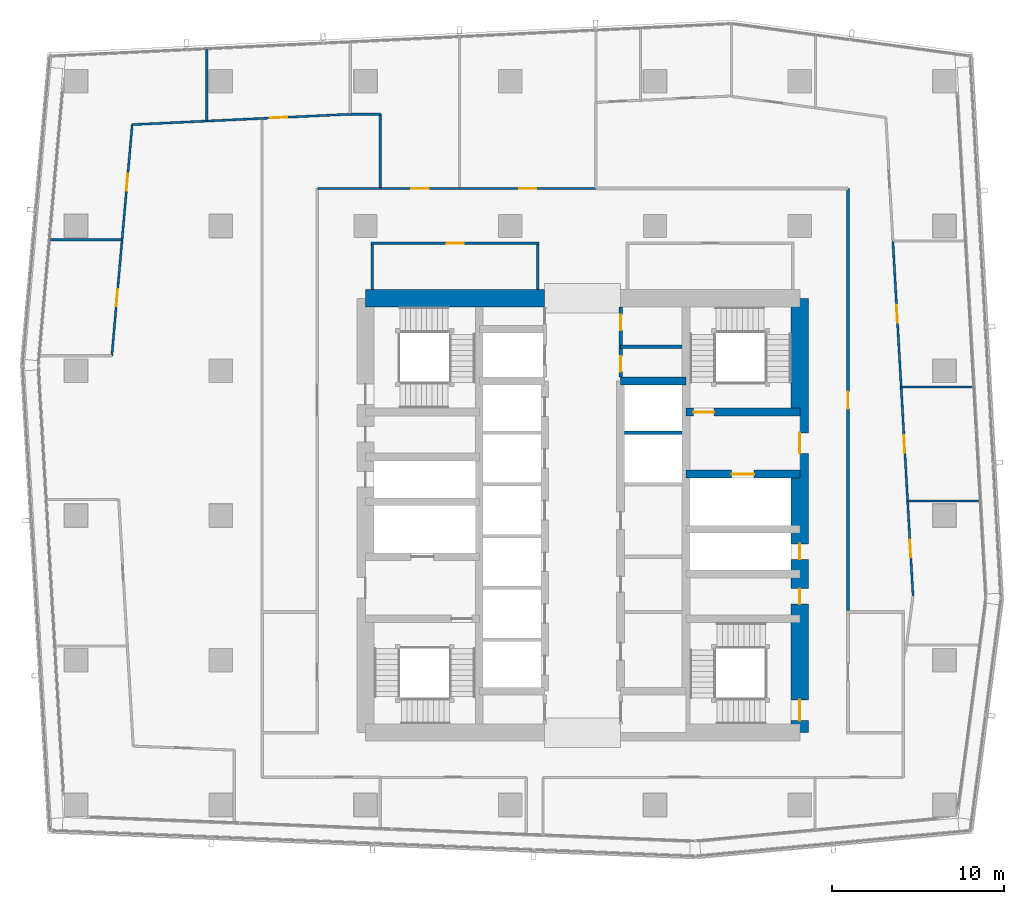
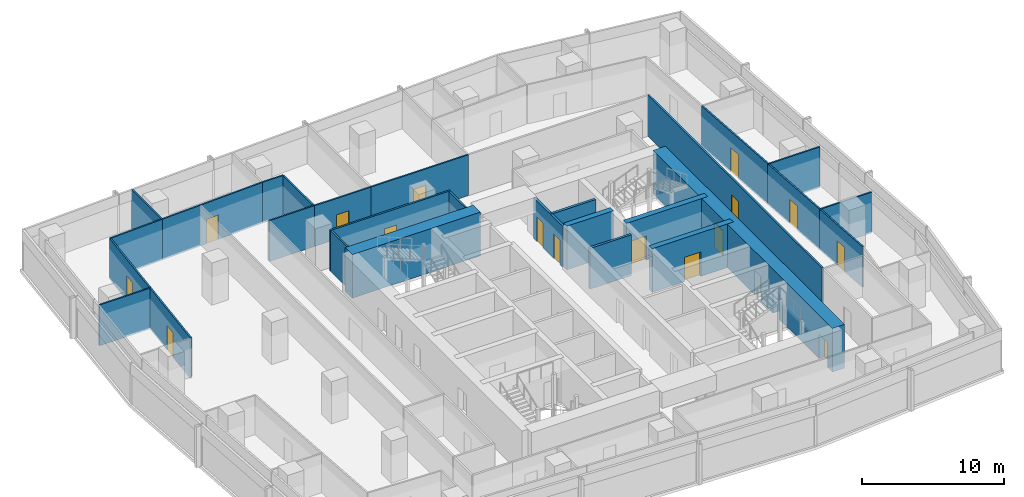
# One storey, part 29 of 38: 28 walls, 18 doors, 18 openings.
"""IFC4 building model written with IfcOpenShell, lengths in metres."""

from ifc_helpers import new_model, si_unit, direction, frame, frame_2d, origin, place, context, subcontext, project, spatial, rectangle, extrude, material, layer, layer_set, type_object, element, fill, save


model = new_model("IFC4")

# Units and contexts
model_context = context("Model", 3, precision=1e-05, world=origin(), true_north=direction((0.0, 1.0)))
body_context = subcontext(model_context, "Body", "Model", "MODEL_VIEW")
ifc_project = project(units=[si_unit("LENGTHUNIT", "METRE"), si_unit("AREAUNIT", "SQUARE_METRE"), si_unit("VOLUMEUNIT", "CUBIC_METRE"), si_unit("PLANEANGLEUNIT", "RADIAN"), si_unit("MASSUNIT", "GRAM", prefix="KILO")], contexts=[model_context])

# Site, building, storey
site_placement = place(None, origin())
site = spatial("IfcSite", under=ifc_project, at=site_placement, CompositionType="ELEMENT")
building_placement = place(site_placement, origin())
building = spatial("IfcBuilding", under=site, at=building_placement, Name="Rekha Terrace Tower", CompositionType="ELEMENT")
storey_placement = place(building_placement, frame((0.0, 0.0, 198.949951171875)))
storey = spatial("IfcBuildingStorey", under=building, at=storey_placement, Name="L50", CompositionType="ELEMENT", Elevation=198.949951171875)

# Wall
ifc_material_1 = material(Name="Concrete M60", Category="concrete")
ifc_layer_1 = layer(ifc_material_1, 0.449951171875)
ifc_layer_set_1 = layer_set([ifc_layer_1], Name="Concrete M60")
wall_type_1 = type_object("IfcWallType", Name="CI3 450 core internal shear wall", PredefinedType="SHEAR", material=ifc_layer_set_1)
wall_1_placement = place(storey_placement, frame((40.0, 41.39990234375, 0.0), z_axis=(0.0, 0.0, 1.0), x_axis=(1.0, 0.0, 0.0)))
element("IfcWall", 1, at=wall_1_placement, inside=storey, type_object=wall_type_1, Name="Core wall Y414E L50", PredefinedType="SHEAR", context=body_context, shape_type="SweptSolid", body=[
    extrude(rectangle(XDim=3.800048828125, YDim=0.449951171875, at=frame_2d((1.89990234375, 0.0))), origin(), (0.0, 0.0, 1.0), 3.75),
])

# Wall, opening, door
wall_2_placement = place(storey_placement, frame((43.800048828125, 36.0, 0.0), z_axis=(0.0, 0.0, 1.0), x_axis=(1.0, 0.0, 0.0)))
wall_2 = element("IfcWall", 2, at=wall_2_placement, inside=storey, type_object=wall_type_1, Name="Core wall Y360E L50", PredefinedType="SHEAR", context=body_context, shape_type="SweptSolid", body=[
    extrude(rectangle(XDim=6.599853515625, YDim=0.449951171875, at=frame_2d((3.2998046875, 0.0))), origin(), (0.0, 0.0, 1.0), 3.75),
])
opening_1_placement = place(wall_2_placement, frame((2.64990234375, 0.0, 0.0)))
opening_1 = element("IfcOpeningElement", 3, at=opening_1_placement, cuts=wall_2, Name="Opening LD2", PredefinedType="OPENING", context=body_context, shape_type="SweptSolid", body=[
    extrude(rectangle(XDim=1.300048828125, YDim=2.10009765625, at=frame_2d((0.64990234375, 1.050048828125))), frame((0.0, 0.23486328125, 0.0), z_axis=(0.0, -1.0, 0.0), x_axis=(1.0, 0.0, 0.0)), (0.0, 0.0, 1.0), 0.469970703125),
])
ifc_material_2 = material(Name="Stainless steel sliding landing door", Category="steel")
door_type_1 = type_object("IfcDoorType", Name="LD2 1300x2100 fire lift landing door", OperationType="SLIDING_TO_LEFT", PredefinedType="USERDEFINED", material=ifc_material_2)
door_1_placement = place(opening_1_placement, origin())
door_1 = element("IfcDoor", 4, at=door_1_placement, inside=storey, type_object=door_type_1, Name="Lift FL2 landing door L50", ObjectType="LIFT LANDING DOOR", OperationType="SLIDING_TO_LEFT", OverallHeight=2.10009765625, OverallWidth=1.300048828125, PredefinedType="USERDEFINED", context=body_context, shape_type="SweptSolid", body=[
    extrude(rectangle(XDim=1.300048828125, YDim=2.10009765625, at=frame_2d((0.64990234375, 1.050048828125))), frame((0.0, 0.02490234375, 0.0), z_axis=(0.0, -1.0, 0.0), x_axis=(1.0, 0.0, 0.0)), (0.0, 0.0, 1.0), 0.050048828125),
])
fill(opening_1, door_1)

wall_3_placement = place(storey_placement, frame((43.800048828125, 39.60009765625, 0.0), z_axis=(0.0, 0.0, 1.0), x_axis=(1.0, 0.0, 0.0)))
wall_3 = element("IfcWall", 5, at=wall_3_placement, inside=storey, type_object=wall_type_1, Name="Core wall Y396E L50", PredefinedType="SHEAR", context=body_context, shape_type="SweptSolid", body=[
    extrude(rectangle(XDim=6.599853515625, YDim=0.449951171875, at=frame_2d((3.2998046875, 0.0))), origin(), (0.0, 0.0, 1.0), 3.75),
])
opening_2_placement = place(wall_3_placement, frame((0.425048828125, 0.0, 0.0)))
opening_2 = element("IfcOpeningElement", 6, at=opening_2_placement, cuts=wall_3, Name="Opening D1", PredefinedType="OPENING", context=body_context, shape_type="SweptSolid", body=[
    extrude(rectangle(XDim=1.199951171875, YDim=2.10009765625, at=frame_2d((0.60009765625, 1.050048828125))), frame((0.0, 0.23486328125, 0.0), z_axis=(0.0, -1.0, 0.0), x_axis=(1.0, 0.0, 0.0)), (0.0, 0.0, 1.0), 0.469970703125),
])
ifc_material_3 = material(Name="Steel fire door", Category="steel")
door_type_2 = type_object("IfcDoorType", Name="D1 1200x2100 stair fire door", OperationType="SINGLE_SWING_RIGHT", PredefinedType="DOOR", material=ifc_material_3)
door_2_placement = place(opening_2_placement, origin())
door_2 = element("IfcDoor", 7, at=door_2_placement, inside=storey, type_object=door_type_2, Name="Stair ST2 door L50", OperationType="SINGLE_SWING_RIGHT", OverallHeight=2.10009765625, OverallWidth=1.199951171875, PredefinedType="DOOR", context=body_context, shape_type="SweptSolid", body=[
    extrude(rectangle(XDim=1.199951171875, YDim=2.10009765625, at=frame_2d((0.60009765625, 1.050048828125))), frame((0.0, 0.02490234375, 0.0), z_axis=(0.0, -1.0, 0.0), x_axis=(1.0, 0.0, 0.0)), (0.0, 0.0, 1.0), 0.050048828125),
])
fill(opening_2, door_2)

# Wall
ifc_layer_2 = layer(ifc_material_1, 1.0)
ifc_layer_set_2 = layer_set([ifc_layer_2], Name="Concrete M60")
wall_type_2 = type_object("IfcWallType", Name="SW3 1000 core outer shear wall", PredefinedType="SHEAR", material=ifc_layer_set_2)
wall_4_placement = place(storey_placement, frame((25.199951171875, 46.199951171875, 0.0), z_axis=(0.0, 0.0, 1.0), x_axis=(1.0, 0.0, 0.0)))
element("IfcWall", 8, at=wall_4_placement, inside=storey, type_object=wall_type_2, Name="Core wall N1 L50", PredefinedType="SHEAR", context=body_context, shape_type="SweptSolid", body=[
    extrude(rectangle(XDim=10.400146484375, YDim=1.0, at=frame_2d((5.2001953125, 0.0))), origin(), (0.0, 0.0, 1.0), 3.75),
])

# Wall, openings, doors
wall_5_placement = place(storey_placement, frame((50.39990234375, 21.0, 0.0), z_axis=(0.0, 0.0, 1.0), x_axis=(0.0, 1.0, 0.0)))
wall_5 = element("IfcWall", 9, at=wall_5_placement, inside=storey, type_object=wall_type_2, Name="Core wall E L50", PredefinedType="SHEAR", context=body_context, shape_type="SweptSolid", body=[
    extrude(rectangle(XDim=25.199951171875, YDim=1.0, at=frame_2d((12.60009765625, 0.0))), origin(), (0.0, 0.0, 1.0), 3.75),
])
opening_3_placement = place(wall_5_placement, frame((16.199951171875, 0.0, 0.0)))
opening_3 = element("IfcOpeningElement", 10, at=opening_3_placement, cuts=wall_5, Name="Opening D2", PredefinedType="OPENING", context=body_context, shape_type="SweptSolid", body=[
    extrude(rectangle(XDim=1.199951171875, YDim=2.10009765625, at=frame_2d((0.60009765625, 1.050048828125))), frame((0.0, 0.510009765625, 0.0), z_axis=(0.0, -1.0, 0.0), x_axis=(1.0, 0.0, 0.0)), (0.0, 0.0, 1.0), 1.02001953125),
])
opening_4_placement = place(wall_5_placement, frame((10.050048828125, 0.0, 0.0)))
opening_4 = element("IfcOpeningElement", 11, at=opening_4_placement, cuts=wall_5, Name="Opening D5", PredefinedType="OPENING", context=body_context, shape_type="SweptSolid", body=[
    extrude(rectangle(XDim=0.89990234375, YDim=2.10009765625, at=frame_2d((0.449951171875, 1.050048828125))), frame((0.0, 0.510009765625, 0.0), z_axis=(0.0, -1.0, 0.0), x_axis=(1.0, 0.0, 0.0)), (0.0, 0.0, 1.0), 1.02001953125),
])
opening_5_placement = place(wall_5_placement, frame((7.449951171875, 0.0, 0.0)))
opening_5 = element("IfcOpeningElement", 12, at=opening_5_placement, cuts=wall_5, Name="Opening D5", PredefinedType="OPENING", context=body_context, shape_type="SweptSolid", body=[
    extrude(rectangle(XDim=0.89990234375, YDim=2.10009765625, at=frame_2d((0.449951171875, 1.050048828125))), frame((0.0, 0.510009765625, 0.0), z_axis=(0.0, -1.0, 0.0), x_axis=(1.0, 0.0, 0.0)), (0.0, 0.0, 1.0), 1.02001953125),
])
opening_6_placement = place(wall_5_placement, frame((0.699951171875, 0.0, 0.0)))
opening_6 = element("IfcOpeningElement", 13, at=opening_6_placement, cuts=wall_5, Name="Opening D1", PredefinedType="OPENING", context=body_context, shape_type="SweptSolid", body=[
    extrude(rectangle(XDim=1.199951171875, YDim=2.10009765625, at=frame_2d((0.60009765625, 1.050048828125))), frame((0.0, 0.510009765625, 0.0), z_axis=(0.0, -1.0, 0.0), x_axis=(1.0, 0.0, 0.0)), (0.0, 0.0, 1.0), 1.02001953125),
])
door_3_placement = place(opening_6_placement, origin())
door_3 = element("IfcDoor", 14, at=door_3_placement, inside=storey, type_object=door_type_2, Name="Stair ST3 door L50", OperationType="SINGLE_SWING_RIGHT", OverallHeight=2.10009765625, OverallWidth=1.199951171875, PredefinedType="DOOR", context=body_context, shape_type="SweptSolid", body=[
    extrude(rectangle(XDim=1.199951171875, YDim=2.10009765625, at=frame_2d((0.60009765625, 1.050048828125))), frame((0.0, 0.02490234375, 0.0), z_axis=(0.0, -1.0, 0.0), x_axis=(1.0, 0.0, 0.0)), (0.0, 0.0, 1.0), 0.050048828125),
])
fill(opening_6, door_3)
door_type_3 = type_object("IfcDoorType", Name="D2 1200x2100 firefighting lobby door", OperationType="SINGLE_SWING_LEFT", PredefinedType="DOOR", material=ifc_material_3)
door_4_placement = place(opening_3_placement, origin())
door_4 = element("IfcDoor", 15, at=door_4_placement, inside=storey, type_object=door_type_3, Name="Door flb2 L50", OperationType="SINGLE_SWING_LEFT", OverallHeight=2.10009765625, OverallWidth=1.199951171875, PredefinedType="DOOR", context=body_context, shape_type="SweptSolid", body=[
    extrude(rectangle(XDim=1.199951171875, YDim=2.10009765625, at=frame_2d((0.60009765625, 1.050048828125))), frame((0.0, 0.02490234375, 0.0), z_axis=(0.0, -1.0, 0.0), x_axis=(1.0, 0.0, 0.0)), (0.0, 0.0, 1.0), 0.050048828125),
])
fill(opening_3, door_4)
door_type_4 = type_object("IfcDoorType", Name="D5 900x2100 riser access door", OperationType="SINGLE_SWING_LEFT", PredefinedType="DOOR", material=ifc_material_3)
door_5_placement = place(opening_4_placement, origin())
door_5 = element("IfcDoor", 16, at=door_5_placement, inside=storey, type_object=door_type_4, Name="Door rs2 L50", OperationType="SINGLE_SWING_LEFT", OverallHeight=2.10009765625, OverallWidth=0.89990234375, PredefinedType="DOOR", context=body_context, shape_type="SweptSolid", body=[
    extrude(rectangle(XDim=0.89990234375, YDim=2.10009765625, at=frame_2d((0.449951171875, 1.050048828125))), frame((0.0, 0.02490234375, 0.0), z_axis=(0.0, -1.0, 0.0), x_axis=(1.0, 0.0, 0.0)), (0.0, 0.0, 1.0), 0.050048828125),
])
fill(opening_4, door_5)
door_6_placement = place(opening_5_placement, origin())
door_6 = element("IfcDoor", 17, at=door_6_placement, inside=storey, type_object=door_type_4, Name="Door ele L50", OperationType="SINGLE_SWING_LEFT", OverallHeight=2.10009765625, OverallWidth=0.89990234375, PredefinedType="DOOR", context=body_context, shape_type="SweptSolid", body=[
    extrude(rectangle(XDim=0.89990234375, YDim=2.10009765625, at=frame_2d((0.449951171875, 1.050048828125))), frame((0.0, 0.02490234375, 0.0), z_axis=(0.0, -1.0, 0.0), x_axis=(1.0, 0.0, 0.0)), (0.0, 0.0, 1.0), 0.050048828125),
])
fill(opening_5, door_6)

# Wall, opening, door
ifc_material_4 = material(Name="Concrete block masonry, 1 hour", Category="masonry")
ifc_layer_3 = layer(ifc_material_4, 0.14990234375)
ifc_layer_set_3 = layer_set([ifc_layer_3], Name="Concrete block masonry, 1 hour")
wall_type_3 = type_object("IfcWallType", Name="WP2 150 tenancy partition", PredefinedType="PARTITIONING", material=ifc_layer_set_3)
wall_6_placement = place(storey_placement, frame((25.52490234375, 49.39990234375, 0.0), z_axis=(0.0, 0.0, 1.0), x_axis=(1.0, 0.0, 0.0)))
wall_6 = element("IfcWall", 18, at=wall_6_placement, inside=storey, type_object=wall_type_3, Name="Women's WC wall L50", PredefinedType="PARTITIONING", context=body_context, shape_type="SweptSolid", body=[
    extrude(rectangle(XDim=9.75, YDim=0.14990234375, at=frame_2d((4.875, 0.0))), origin(), (0.0, 0.0, 1.0), 3.5),
])
opening_7_placement = place(wall_6_placement, frame((4.375, 0.0, 0.0)))
opening_7 = element("IfcOpeningElement", 19, at=opening_7_placement, cuts=wall_6, Name="Opening D3", PredefinedType="OPENING", context=body_context, shape_type="SweptSolid", body=[
    extrude(rectangle(XDim=1.0, YDim=2.10009765625, at=frame_2d((0.5, 1.050048828125))), frame((0.0, 0.0849609375, 0.0), z_axis=(0.0, -1.0, 0.0), x_axis=(1.0, 0.0, 0.0)), (0.0, 0.0, 1.0), 0.169921875),
])
ifc_material_5 = material(Name="Laminated timber fire door", Category="wood")
door_type_5 = type_object("IfcDoorType", Name="D3 1000x2100 WC door", OperationType="SINGLE_SWING_LEFT", PredefinedType="DOOR", material=ifc_material_5)
door_7_placement = place(opening_7_placement, origin())
door_7 = element("IfcDoor", 20, at=door_7_placement, inside=storey, type_object=door_type_5, Name="Door women's wc L50", OperationType="SINGLE_SWING_LEFT", OverallHeight=2.10009765625, OverallWidth=1.0, PredefinedType="DOOR", context=body_context, shape_type="SweptSolid", body=[
    extrude(rectangle(XDim=1.0, YDim=2.10009765625, at=frame_2d((0.5, 1.050048828125))), frame((0.0, 0.02490234375, 0.0), z_axis=(0.0, -1.0, 0.0), x_axis=(1.0, 0.0, 0.0)), (0.0, 0.0, 1.0), 0.050048828125),
])
fill(opening_7, door_7)

# Walls
for number, where, z_axis, x_axis, name in (
    (21, (25.60009765625, 46.699951171875, 0.0), (0.0, 0.0, 1.0), (0.0, 1.0, 0.0), "Women's WC wall L50"),
    (22, (35.199951171875, 46.699951171875, 0.0), (0.0, 0.0, 1.0), (0.0, 1.0, 0.0), "Women's WC wall L50"),
):
    element("IfcWall", number, at=place(storey_placement, frame(where, z_axis=z_axis, x_axis=x_axis)), inside=storey, type_object=wall_type_3, Name=name, PredefinedType="PARTITIONING", context=body_context, shape_type="SweptSolid", body=[
        extrude(rectangle(XDim=2.625, YDim=0.14990234375, at=frame_2d((1.3125, 0.0))), origin(), (0.0, 0.0, 1.0), 3.5),
    ])

# Wall, opening, door
wall_7_placement = place(storey_placement, frame((53.199951171875, 28.074951171875, 0.0), z_axis=(0.0, 0.0, 1.0), x_axis=(0.0, 1.0, 0.0)))
wall_7 = element("IfcWall", 23, at=wall_7_placement, inside=storey, type_object=wall_type_3, Name="Partition L50-O1", PredefinedType="PARTITIONING", context=body_context, shape_type="SweptSolid", body=[
    extrude(rectangle(XDim=24.5, YDim=0.14990234375, at=frame_2d((12.25, 0.0))), origin(), (0.0, 0.0, 1.0), 3.5),
])
opening_8_placement = place(wall_7_placement, frame((11.712890625, 0.0, 0.0)))
opening_8 = element("IfcOpeningElement", 24, at=opening_8_placement, cuts=wall_7, Name="Opening D9", PredefinedType="OPENING", context=body_context, shape_type="SweptSolid", body=[
    extrude(rectangle(XDim=1.0, YDim=2.10009765625, at=frame_2d((0.5, 1.050048828125))), frame((0.0, 0.0849609375, 0.0), z_axis=(0.0, -1.0, 0.0), x_axis=(1.0, 0.0, 0.0)), (0.0, 0.0, 1.0), 0.169921875),
])
ifc_material_6 = material(Name="Timber fire door", Category="wood")
door_type_6 = type_object("IfcDoorType", Name="D9 1000x2100 office door", OperationType="SINGLE_SWING_LEFT", PredefinedType="DOOR", material=ifc_material_6)
door_8_placement = place(opening_8_placement, origin())
door_8 = element("IfcDoor", 25, at=door_8_placement, inside=storey, type_object=door_type_6, Name="Door open-plan office L50", OperationType="SINGLE_SWING_LEFT", OverallHeight=2.10009765625, OverallWidth=1.0, PredefinedType="DOOR", context=body_context, shape_type="SweptSolid", body=[
    extrude(rectangle(XDim=1.0, YDim=2.10009765625, at=frame_2d((0.5, 1.050048828125))), frame((0.0, 0.02490234375, 0.0), z_axis=(0.0, -1.0, 0.0), x_axis=(1.0, 0.0, 0.0)), (0.0, 0.0, 1.0), 0.050048828125),
])
fill(opening_8, door_8)

ifc_material_7 = material(Name="Two layers of fire-rated gypsum board each side on steel studs, acoustic quilt, 1 hour", Category="steel")
ifc_layer_4 = layer(ifc_material_7, 0.125)
ifc_layer_set_4 = layer_set([ifc_layer_4], Name="Two layers of fire-rated gypsum board each side on steel studs, acoustic quilt, 1 hour")
wall_type_4 = type_object("IfcWallType", Name="WP3 125 office partition", PredefinedType="PARTITIONING", material=ifc_layer_set_4)
wall_8_placement = place(storey_placement, frame((56.969970703125, 28.93798828125, 0.0), z_axis=(0.0, 0.0, 1.0), x_axis=(-0.056688504788, 0.998391913742, 0.0)))
wall_8 = element("IfcWall", 26, at=wall_8_placement, inside=storey, type_object=wall_type_4, Name="Partition L50-03", PredefinedType="PARTITIONING", context=body_context, shape_type="SweptSolid", body=[
    extrude(rectangle(XDim=5.50390625, YDim=0.125, at=frame_2d((2.751953125, 0.0))), origin(), (0.0, 0.0, 1.0), 3.5),
])
opening_9_placement = place(wall_8_placement, frame((2.251953125, 0.0, 0.0)))
opening_9 = element("IfcOpeningElement", 27, at=opening_9_placement, cuts=wall_8, Name="Opening D9", PredefinedType="OPENING", context=body_context, shape_type="SweptSolid", body=[
    extrude(rectangle(XDim=1.0, YDim=2.10009765625, at=frame_2d((0.5, 1.050048828125))), frame((0.0, 0.072509765625, 0.0), z_axis=(0.0, -1.0, 0.0), x_axis=(1.0, 0.0, 0.0)), (0.0, 0.0, 1.0), 0.14501953125),
])
door_9_placement = place(opening_9_placement, origin())
door_9 = element("IfcDoor", 28, at=door_9_placement, inside=storey, type_object=door_type_6, Name="Door office L50", OperationType="SINGLE_SWING_LEFT", OverallHeight=2.10009765625, OverallWidth=1.0, PredefinedType="DOOR", context=body_context, shape_type="SweptSolid", body=[
    extrude(rectangle(XDim=1.0, YDim=2.10009765625, at=frame_2d((0.5, 1.050048828125))), frame((0.0, 0.02490234375, 0.0), z_axis=(0.0, -1.0, 0.0), x_axis=(1.0, 0.0, 0.0)), (0.0, 0.0, 1.0), 0.050048828125),
])
fill(opening_9, door_9)

# Wall
wall_9_placement = place(storey_placement, frame((56.657958984375, 34.43310546875, 0.0), z_axis=(0.0, 0.0, 1.0), x_axis=(1.0, 0.0, 0.0)))
element("IfcWall", 29, at=wall_9_placement, inside=storey, type_object=wall_type_4, Name="Partition L50-03", PredefinedType="PARTITIONING", context=body_context, shape_type="SweptSolid", body=[
    extrude(rectangle(XDim=4.156982421875, YDim=0.125, at=frame_2d((2.07861328125, 0.0))), origin(), (0.0, 0.0, 1.0), 3.5),
])

# Wall, opening, door
wall_10_placement = place(storey_placement, frame((56.657958984375, 34.43408203125, 0.0), z_axis=(0.0, 0.0, 1.0), x_axis=(-0.056556940453, 0.998399375244, 0.0)))
wall_10 = element("IfcWall", 30, at=wall_10_placement, inside=storey, type_object=wall_type_4, Name="Partition L50-04", PredefinedType="PARTITIONING", context=body_context, shape_type="SweptSolid", body=[
    extrude(rectangle(XDim=6.63037109375, YDim=0.125, at=frame_2d((3.315185546875, 0.0))), origin(), (0.0, 0.0, 1.0), 3.5),
])
opening_10_placement = place(wall_10_placement, frame((2.81494140625, 0.0, 0.0)))
opening_10 = element("IfcOpeningElement", 31, at=opening_10_placement, cuts=wall_10, Name="Opening D9", PredefinedType="OPENING", context=body_context, shape_type="SweptSolid", body=[
    extrude(rectangle(XDim=1.0, YDim=2.10009765625, at=frame_2d((0.5, 1.050048828125))), frame((0.0, 0.072509765625, 0.0), z_axis=(0.0, -1.0, 0.0), x_axis=(1.0, 0.0, 0.0)), (0.0, 0.0, 1.0), 0.14501953125),
])
door_10_placement = place(opening_10_placement, origin())
door_10 = element("IfcDoor", 32, at=door_10_placement, inside=storey, type_object=door_type_6, Name="Door office L50", OperationType="SINGLE_SWING_LEFT", OverallHeight=2.10009765625, OverallWidth=1.0, PredefinedType="DOOR", context=body_context, shape_type="SweptSolid", body=[
    extrude(rectangle(XDim=1.0, YDim=2.10009765625, at=frame_2d((0.5, 1.050048828125))), frame((0.0, 0.02490234375, 0.0), z_axis=(0.0, -1.0, 0.0), x_axis=(1.0, 0.0, 0.0)), (0.0, 0.0, 1.0), 0.050048828125),
])
fill(opening_10, door_10)

# Wall
wall_11_placement = place(storey_placement, frame((56.282958984375, 41.053955078125, 0.0), z_axis=(0.0, 0.0, 1.0), x_axis=(1.0, 0.0, 0.0)))
element("IfcWall", 33, at=wall_11_placement, inside=storey, type_object=wall_type_4, Name="Partition L50-04", PredefinedType="PARTITIONING", context=body_context, shape_type="SweptSolid", body=[
    extrude(rectangle(XDim=4.156005859375, YDim=0.125, at=frame_2d((2.078125, 0.0))), origin(), (0.0, 0.0, 1.0), 3.5),
])

# Wall, opening, door
wall_12_placement = place(storey_placement, frame((56.282958984375, 41.054931640625, 0.0), z_axis=(0.0, 0.0, 1.0), x_axis=(-0.056725059265, 0.998389837514, 0.0)))
wall_12 = element("IfcWall", 34, at=wall_12_placement, inside=storey, type_object=wall_type_4, Name="Partition L50-05", PredefinedType="PARTITIONING", context=body_context, shape_type="SweptSolid", body=[
    extrude(rectangle(XDim=8.478759765625, YDim=0.125, at=frame_2d((4.2392578125, 0.0))), origin(), (0.0, 0.0, 1.0), 3.5),
])
opening_11_placement = place(wall_12_placement, frame((3.739013671875, 0.0, 0.0)))
opening_11 = element("IfcOpeningElement", 35, at=opening_11_placement, cuts=wall_12, Name="Opening D9", PredefinedType="OPENING", context=body_context, shape_type="SweptSolid", body=[
    extrude(rectangle(XDim=1.0, YDim=2.10009765625, at=frame_2d((0.5, 1.050048828125))), frame((0.0, 0.072509765625, 0.0), z_axis=(0.0, -1.0, 0.0), x_axis=(1.0, 0.0, 0.0)), (0.0, 0.0, 1.0), 0.14501953125),
])
door_11_placement = place(opening_11_placement, origin())
door_11 = element("IfcDoor", 36, at=door_11_placement, inside=storey, type_object=door_type_6, Name="Door office L50", OperationType="SINGLE_SWING_LEFT", OverallHeight=2.10009765625, OverallWidth=1.0, PredefinedType="DOOR", context=body_context, shape_type="SweptSolid", body=[
    extrude(rectangle(XDim=1.0, YDim=2.10009765625, at=frame_2d((0.5, 1.050048828125))), frame((0.0, 0.02490234375, 0.0), z_axis=(0.0, -1.0, 0.0), x_axis=(1.0, 0.0, 0.0)), (0.0, 0.0, 1.0), 0.050048828125),
])
fill(opening_11, door_11)

wall_13_placement = place(storey_placement, frame((30.660888671875, 52.574951171875, 0.0), z_axis=(0.0, 0.0, 1.0), x_axis=(-1.0, 0.0, 0.0)))
wall_13 = element("IfcWall", 37, at=wall_13_placement, inside=storey, type_object=wall_type_4, Name="Partition L50-10", PredefinedType="PARTITIONING", context=body_context, shape_type="SweptSolid", body=[
    extrude(rectangle(XDim=4.602783203125, YDim=0.125, at=frame_2d((2.30126953125, 0.0))), origin(), (0.0, 0.0, 1.0), 3.5),
])
opening_12_placement = place(wall_13_placement, frame((1.802001953125, 0.0, 0.0)))
opening_12 = element("IfcOpeningElement", 38, at=opening_12_placement, cuts=wall_13, Name="Opening D9", PredefinedType="OPENING", context=body_context, shape_type="SweptSolid", body=[
    extrude(rectangle(XDim=1.0, YDim=2.10009765625, at=frame_2d((0.5, 1.050048828125))), frame((0.0, 0.072509765625, 0.0), z_axis=(0.0, -1.0, 0.0), x_axis=(1.0, 0.0, 0.0)), (0.0, 0.0, 1.0), 0.14501953125),
])
door_12_placement = place(opening_12_placement, origin())
door_12 = element("IfcDoor", 39, at=door_12_placement, inside=storey, type_object=door_type_6, Name="Door office L50", OperationType="SINGLE_SWING_LEFT", OverallHeight=2.10009765625, OverallWidth=1.0, PredefinedType="DOOR", context=body_context, shape_type="SweptSolid", body=[
    extrude(rectangle(XDim=1.0, YDim=2.10009765625, at=frame_2d((0.5, 1.050048828125))), frame((0.0, 0.02490234375, 0.0), z_axis=(0.0, -1.0, 0.0), x_axis=(1.0, 0.0, 0.0)), (0.0, 0.0, 1.0), 0.050048828125),
])
fill(opening_12, door_12)

# Walls
wall_14_placement = place(storey_placement, frame((26.05810546875, 52.574951171875, 0.0), z_axis=(0.0, 0.0, 1.0), x_axis=(0.0, 1.0, 0.0)))
element("IfcWall", 40, at=wall_14_placement, inside=storey, type_object=wall_type_4, Name="Partition L50-10", PredefinedType="PARTITIONING", context=body_context, shape_type="SweptSolid", body=[
    extrude(rectangle(XDim=4.31005859375, YDim=0.125, at=frame_2d((2.155029296875, 0.0))), origin(), (0.0, 0.0, 1.0), 3.5),
])
wall_15_placement = place(storey_placement, frame((26.05810546875, 56.885009765625, 0.0), z_axis=(0.0, 0.0, 1.0), x_axis=(-1.0, 0.0, 0.0)))
element("IfcWall", 41, at=wall_15_placement, inside=storey, type_object=wall_type_4, Name="Partition L50-10", PredefinedType="PARTITIONING", context=body_context, shape_type="SweptSolid", body=[
    extrude(rectangle(XDim=1.736083984375, YDim=0.125, at=frame_2d((0.8681640625, 0.0))), origin(), (0.0, 0.0, 1.0), 3.5),
])

# Wall, opening, door
wall_16_placement = place(storey_placement, frame((24.31689453125, 56.885009765625, 0.0), z_axis=(0.0, 0.0, 1.0), x_axis=(-0.998859973319, -0.047736293327, 0.0)))
wall_16 = element("IfcWall", 42, at=wall_16_placement, inside=storey, type_object=wall_type_4, Name="Partition L50-11", PredefinedType="PARTITIONING", context=body_context, shape_type="SweptSolid", body=[
    extrude(rectangle(XDim=8.33642578125, YDim=0.125, at=frame_2d((4.168212890625, 0.0))), origin(), (0.0, 0.0, 1.0), 3.5),
])
opening_13_placement = place(wall_16_placement, frame((3.66796875, 0.0, 0.0)))
opening_13 = element("IfcOpeningElement", 43, at=opening_13_placement, cuts=wall_16, Name="Opening D9", PredefinedType="OPENING", context=body_context, shape_type="SweptSolid", body=[
    extrude(rectangle(XDim=1.0, YDim=2.10009765625, at=frame_2d((0.5, 1.050048828125))), frame((0.0, 0.072509765625, 0.0), z_axis=(0.0, -1.0, 0.0), x_axis=(1.0, 0.0, 0.0)), (0.0, 0.0, 1.0), 0.14501953125),
])
door_13_placement = place(opening_13_placement, origin())
door_13 = element("IfcDoor", 44, at=door_13_placement, inside=storey, type_object=door_type_6, Name="Door office L50", OperationType="SINGLE_SWING_LEFT", OverallHeight=2.10009765625, OverallWidth=1.0, PredefinedType="DOOR", context=body_context, shape_type="SweptSolid", body=[
    extrude(rectangle(XDim=1.0, YDim=2.10009765625, at=frame_2d((0.5, 1.050048828125))), frame((0.0, 0.02490234375, 0.0), z_axis=(0.0, -1.0, 0.0), x_axis=(1.0, 0.0, 0.0)), (0.0, 0.0, 1.0), 0.050048828125),
])
fill(opening_13, door_13)

# Walls
wall_17_placement = place(storey_placement, frame((15.989990234375, 56.487060546875, 0.0), z_axis=(0.0, 0.0, 1.0), x_axis=(0.0, 1.0, 0.0)))
element("IfcWall", 45, at=wall_17_placement, inside=storey, type_object=wall_type_4, Name="Partition L50-11", PredefinedType="PARTITIONING", context=body_context, shape_type="SweptSolid", body=[
    extrude(rectangle(XDim=4.155029296875, YDim=0.125, at=frame_2d((2.07763671875, 0.0))), origin(), (0.0, 0.0, 1.0), 3.5),
])
wall_18_placement = place(storey_placement, frame((11.072998046875, 49.60205078125, 0.0), z_axis=(0.0, 0.0, 1.0), x_axis=(-1.0, 0.0, 0.0)))
element("IfcWall", 46, at=wall_18_placement, inside=storey, type_object=wall_type_4, Name="Partition L50-12", PredefinedType="PARTITIONING", context=body_context, shape_type="SweptSolid", body=[
    extrude(rectangle(XDim=4.1669921875, YDim=0.125, at=frame_2d((2.08349609375, 0.0))), origin(), (0.0, 0.0, 1.0), 3.5),
])
wall_19_placement = place(storey_placement, frame((15.989013671875, 56.487060546875, 0.0), z_axis=(0.0, 0.0, 1.0), x_axis=(-0.998857273451, -0.047792753365, 0.0)))
element("IfcWall", 47, at=wall_19_placement, inside=storey, type_object=wall_type_4, Name="Partition L50-12", PredefinedType="PARTITIONING", context=body_context, shape_type="SweptSolid", body=[
    extrude(rectangle(XDim=4.331787109375, YDim=0.125, at=frame_2d((2.166015625, 0.0))), origin(), (0.0, 0.0, 1.0), 3.5),
])

# Wall, opening, door
wall_20_placement = place(storey_placement, frame((11.662109375, 56.280029296875, 0.0), z_axis=(0.0, 0.0, 1.0), x_axis=(-0.087875742136, -0.99613144411, 0.0)))
wall_20 = element("IfcWall", 48, at=wall_20_placement, inside=storey, type_object=wall_type_4, Name="Partition L50-12", PredefinedType="PARTITIONING", context=body_context, shape_type="SweptSolid", body=[
    extrude(rectangle(XDim=6.703857421875, YDim=0.125, at=frame_2d((3.35205078125, 0.0))), origin(), (0.0, 0.0, 1.0), 3.5),
])
opening_14_placement = place(wall_20_placement, frame((2.85205078125, 0.0, 0.0)))
opening_14 = element("IfcOpeningElement", 49, at=opening_14_placement, cuts=wall_20, Name="Opening D9", PredefinedType="OPENING", context=body_context, shape_type="SweptSolid", body=[
    extrude(rectangle(XDim=1.0, YDim=2.10009765625, at=frame_2d((0.5, 1.050048828125))), frame((0.0, 0.072509765625, 0.0), z_axis=(0.0, -1.0, 0.0), x_axis=(1.0, 0.0, 0.0)), (0.0, 0.0, 1.0), 0.14501953125),
])
door_14_placement = place(opening_14_placement, origin())
door_14 = element("IfcDoor", 50, at=door_14_placement, inside=storey, type_object=door_type_6, Name="Door director's office L50", OperationType="SINGLE_SWING_LEFT", OverallHeight=2.10009765625, OverallWidth=1.0, PredefinedType="DOOR", context=body_context, shape_type="SweptSolid", body=[
    extrude(rectangle(XDim=1.0, YDim=2.10009765625, at=frame_2d((0.5, 1.050048828125))), frame((0.0, 0.02490234375, 0.0), z_axis=(0.0, -1.0, 0.0), x_axis=(1.0, 0.0, 0.0)), (0.0, 0.0, 1.0), 0.050048828125),
])
fill(opening_14, door_14)

wall_21_placement = place(storey_placement, frame((11.072998046875, 49.60107421875, 0.0), z_axis=(0.0, 0.0, 1.0), x_axis=(-0.087919121044, -0.9961276164, 0.0)))
wall_21 = element("IfcWall", 51, at=wall_21_placement, inside=storey, type_object=wall_type_4, Name="Partition L50-13", PredefinedType="PARTITIONING", context=body_context, shape_type="SweptSolid", body=[
    extrude(rectangle(XDim=6.756103515625, YDim=0.125, at=frame_2d((3.3779296875, 0.0))), origin(), (0.0, 0.0, 1.0), 3.5),
])
opening_15_placement = place(wall_21_placement, frame((2.8779296875, 0.0, 0.0)))
opening_15 = element("IfcOpeningElement", 52, at=opening_15_placement, cuts=wall_21, Name="Opening D9", PredefinedType="OPENING", context=body_context, shape_type="SweptSolid", body=[
    extrude(rectangle(XDim=1.0, YDim=2.10009765625, at=frame_2d((0.5, 1.050048828125))), frame((0.0, 0.072509765625, 0.0), z_axis=(0.0, -1.0, 0.0), x_axis=(1.0, 0.0, 0.0)), (0.0, 0.0, 1.0), 0.14501953125),
])
door_15_placement = place(opening_15_placement, origin())
door_15 = element("IfcDoor", 53, at=door_15_placement, inside=storey, type_object=door_type_6, Name="Door wellness room L50", OperationType="SINGLE_SWING_LEFT", OverallHeight=2.10009765625, OverallWidth=1.0, PredefinedType="DOOR", context=body_context, shape_type="SweptSolid", body=[
    extrude(rectangle(XDim=1.0, YDim=2.10009765625, at=frame_2d((0.5, 1.050048828125))), frame((0.0, 0.02490234375, 0.0), z_axis=(0.0, -1.0, 0.0), x_axis=(1.0, 0.0, 0.0)), (0.0, 0.0, 1.0), 0.050048828125),
])
fill(opening_15, door_15)

# Wall
wall_22_placement = place(storey_placement, frame((26.05810546875, 52.574951171875, 0.0), z_axis=(0.0, 0.0, 1.0), x_axis=(-1.0, 0.0, 0.0)))
element("IfcWall", 54, at=wall_22_placement, inside=storey, type_object=wall_type_4, Name="Partition L50-17", PredefinedType="PARTITIONING", context=body_context, shape_type="SweptSolid", body=[
    extrude(rectangle(XDim=3.658203125, YDim=0.125, at=frame_2d((1.8291015625, 0.0))), origin(), (0.0, 0.0, 1.0), 3.5),
])

# Wall, opening, door
wall_23_placement = place(storey_placement, frame((38.570068359375, 52.574951171875, 0.0), z_axis=(0.0, 0.0, 1.0), x_axis=(-1.0, 0.0, 0.0)))
wall_23 = element("IfcWall", 55, at=wall_23_placement, inside=storey, type_object=wall_type_4, Name="Partition L50-20", PredefinedType="PARTITIONING", context=body_context, shape_type="SweptSolid", body=[
    extrude(rectangle(XDim=7.9091796875, YDim=0.125, at=frame_2d((3.95458984375, 0.0))), origin(), (0.0, 0.0, 1.0), 3.5),
])
opening_16_placement = place(wall_23_placement, frame((3.455078125, 0.0, 0.0)))
opening_16 = element("IfcOpeningElement", 56, at=opening_16_placement, cuts=wall_23, Name="Opening D9", PredefinedType="OPENING", context=body_context, shape_type="SweptSolid", body=[
    extrude(rectangle(XDim=1.0, YDim=2.10009765625, at=frame_2d((0.5, 1.050048828125))), frame((0.0, 0.072509765625, 0.0), z_axis=(0.0, -1.0, 0.0), x_axis=(1.0, 0.0, 0.0)), (0.0, 0.0, 1.0), 0.14501953125),
])
door_16_placement = place(opening_16_placement, origin())
door_16 = element("IfcDoor", 57, at=door_16_placement, inside=storey, type_object=door_type_6, Name="Door breakout lounge L50", OperationType="SINGLE_SWING_LEFT", OverallHeight=2.10009765625, OverallWidth=1.0, PredefinedType="DOOR", context=body_context, shape_type="SweptSolid", body=[
    extrude(rectangle(XDim=1.0, YDim=2.10009765625, at=frame_2d((0.5, 1.050048828125))), frame((0.0, 0.02490234375, 0.0), z_axis=(0.0, -1.0, 0.0), x_axis=(1.0, 0.0, 0.0)), (0.0, 0.0, 1.0), 0.050048828125),
])
fill(opening_16, door_16)

# Wall
ifc_material_8 = material(Name="Solid concrete block masonry, 2 hour", Category="masonry")
ifc_layer_5 = layer(ifc_material_8, 0.199951171875)
ifc_layer_set_5 = layer_set([ifc_layer_5], Name="Solid concrete block masonry, 2 hour")
wall_type_5 = type_object("IfcWallType", Name="WS1 200 stair and shaft enclosure", PredefinedType="PARTITIONING", material=ifc_layer_set_5)
wall_24_placement = place(storey_placement, frame((40.22509765625, 38.39990234375, 0.0), z_axis=(0.0, 0.0, 1.0), x_axis=(1.0, 0.0, 0.0)))
element("IfcWall", 58, at=wall_24_placement, inside=storey, type_object=wall_type_5, Name="Lift shaft divider L50", PredefinedType="PARTITIONING", context=body_context, shape_type="SweptSolid", body=[
    extrude(rectangle(XDim=3.349853515625, YDim=0.199951171875, at=frame_2d((1.6748046875, 0.0))), origin(), (0.0, 0.0, 1.0), 3.5),
])

# Wall, openings, doors
wall_25_placement = place(storey_placement, frame((40.0, 41.625, 0.0), z_axis=(0.0, 0.0, 1.0), x_axis=(0.0, 1.0, 0.0)))
wall_25 = element("IfcWall", 59, at=wall_25_placement, inside=storey, type_object=wall_type_5, Name="Core partition elec L50", PredefinedType="PARTITIONING", context=body_context, shape_type="SweptSolid", body=[
    extrude(rectangle(XDim=4.074951171875, YDim=0.199951171875, at=frame_2d((2.03759765625, 0.0))), origin(), (0.0, 0.0, 1.0), 3.5),
])
opening_17_placement = place(wall_25_placement, frame((2.72509765625, 0.0, 0.0)))
opening_17 = element("IfcOpeningElement", 60, at=opening_17_placement, cuts=wall_25, Name="Opening D5", PredefinedType="OPENING", context=body_context, shape_type="SweptSolid", body=[
    extrude(rectangle(XDim=0.89990234375, YDim=2.10009765625, at=frame_2d((0.449951171875, 1.050048828125))), frame((0.0, 0.10986328125, 0.0), z_axis=(0.0, -1.0, 0.0), x_axis=(1.0, 0.0, 0.0)), (0.0, 0.0, 1.0), 0.219970703125),
])
opening_18_placement = place(wall_25_placement, frame((0.324951171875, 0.0, 0.0)))
opening_18 = element("IfcOpeningElement", 61, at=opening_18_placement, cuts=wall_25, Name="Opening D5", PredefinedType="OPENING", context=body_context, shape_type="SweptSolid", body=[
    extrude(rectangle(XDim=0.89990234375, YDim=2.10009765625, at=frame_2d((0.449951171875, 1.050048828125))), frame((0.0, 0.10986328125, 0.0), z_axis=(0.0, -1.0, 0.0), x_axis=(1.0, 0.0, 0.0)), (0.0, 0.0, 1.0), 0.219970703125),
])
door_17_placement = place(opening_17_placement, origin())
door_17 = element("IfcDoor", 62, at=door_17_placement, inside=storey, type_object=door_type_4, Name="Door electrical room L50", OperationType="SINGLE_SWING_LEFT", OverallHeight=2.10009765625, OverallWidth=0.89990234375, PredefinedType="DOOR", context=body_context, shape_type="SweptSolid", body=[
    extrude(rectangle(XDim=0.89990234375, YDim=2.10009765625, at=frame_2d((0.449951171875, 1.050048828125))), frame((0.0, 0.02490234375, 0.0), z_axis=(0.0, -1.0, 0.0), x_axis=(1.0, 0.0, 0.0)), (0.0, 0.0, 1.0), 0.050048828125),
])
fill(opening_17, door_17)
door_18_placement = place(opening_18_placement, origin())
door_18 = element("IfcDoor", 63, at=door_18_placement, inside=storey, type_object=door_type_4, Name="Door records store L50", OperationType="SINGLE_SWING_LEFT", OverallHeight=2.10009765625, OverallWidth=0.89990234375, PredefinedType="DOOR", context=body_context, shape_type="SweptSolid", body=[
    extrude(rectangle(XDim=0.89990234375, YDim=2.10009765625, at=frame_2d((0.449951171875, 1.050048828125))), frame((0.0, 0.02490234375, 0.0), z_axis=(0.0, -1.0, 0.0), x_axis=(1.0, 0.0, 0.0)), (0.0, 0.0, 1.0), 0.050048828125),
])
fill(opening_18, door_18)

# Wall
wall_26_placement = place(storey_placement, frame((40.0, 43.39990234375, 0.0), z_axis=(0.0, 0.0, 1.0), x_axis=(1.0, 0.0, 0.0)))
element("IfcWall", 64, at=wall_26_placement, inside=storey, type_object=wall_type_5, Name="Core partition elx L50", PredefinedType="PARTITIONING", context=body_context, shape_type="SweptSolid", body=[
    extrude(rectangle(XDim=3.574951171875, YDim=0.199951171875, at=frame_2d((1.78759765625, 0.0))), origin(), (0.0, 0.0, 1.0), 3.5),
])

save(model, "model.ifc")
